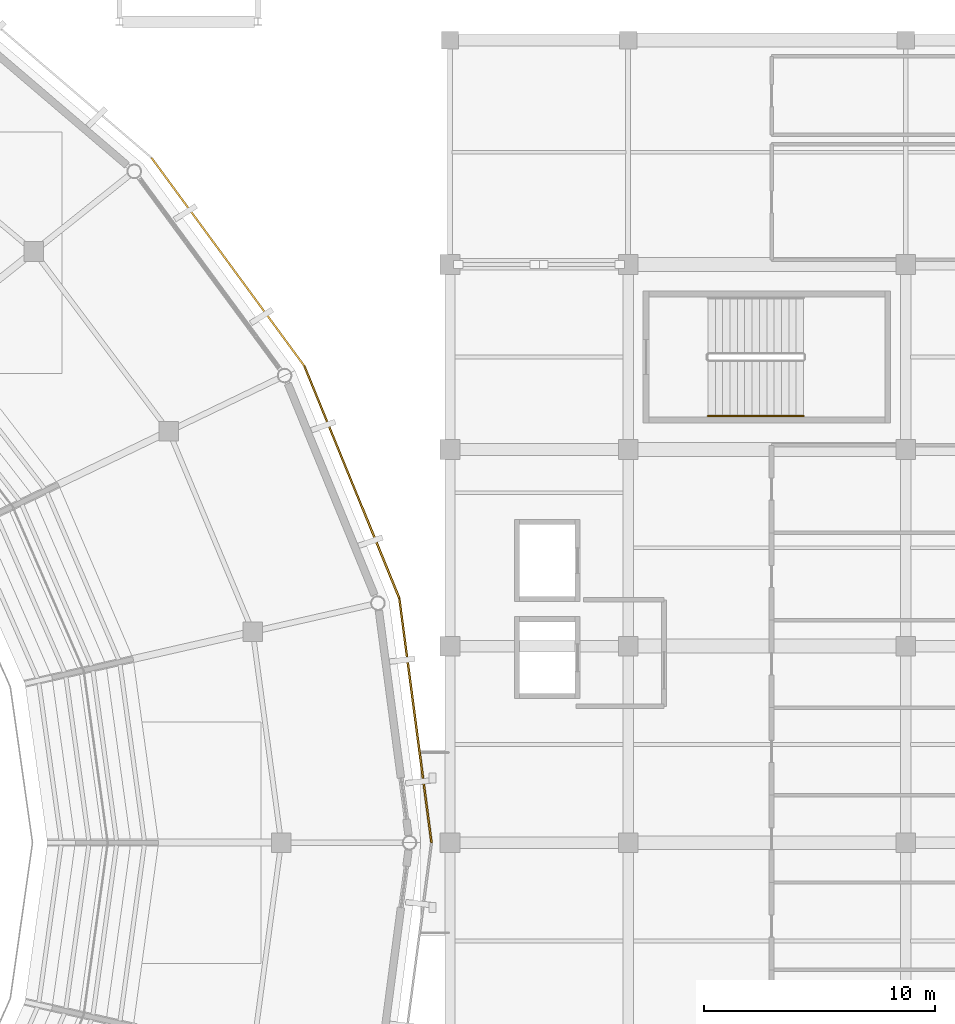
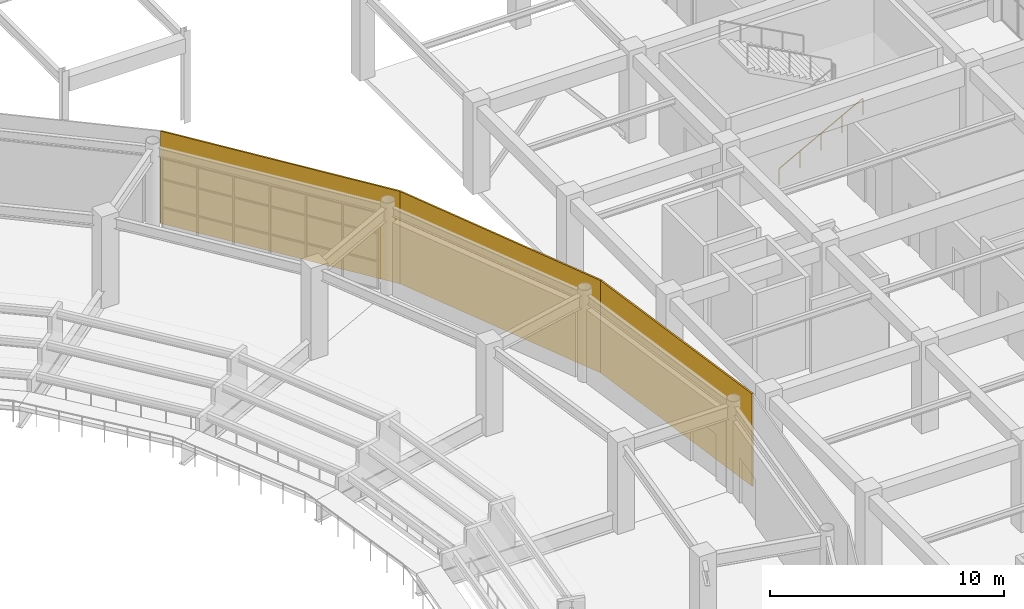
# One storey, part 120 of 122: 3 coverings, 1 railing.
"""IFC4 building model written with IfcOpenShell, lengths in metres."""

from ifc_helpers import new_model, si_unit, direction, frame, frame_2d, origin, origin_2d, place, context, subcontext, project, spatial, rectangle, circle, extrude, material, layer, layer_set, type_object, element, save


model = new_model("IFC4")

# Units and contexts
model_context = context("Model", 3, precision=1e-05, world=origin(), true_north=direction((0.0, 1.0)))
body_context = subcontext(model_context, "Body", "Model", "MODEL_VIEW")
ifc_project = project(units=[si_unit("LENGTHUNIT", "METRE"), si_unit("AREAUNIT", "SQUARE_METRE"), si_unit("VOLUMEUNIT", "CUBIC_METRE"), si_unit("PLANEANGLEUNIT", "RADIAN"), si_unit("MASSUNIT", "GRAM", prefix="KILO")], contexts=[model_context])

# Site, building, storey
site_placement = place(None, origin())
site = spatial("IfcSite", under=ifc_project, at=site_placement, CompositionType="ELEMENT")
building_placement = place(site_placement, origin())
building = spatial("IfcBuilding", under=site, at=building_placement, Name="Cuetzalor Civic Arena", CompositionType="ELEMENT")
storey_placement = place(building_placement, frame((0.0, 0.0, 16.199951171875)))
storey = spatial("IfcBuildingStorey", under=building, at=storey_placement, Name="L03", CompositionType="ELEMENT", Elevation=16.199951171875)

# Railing
ifc_material_1 = material(Name="Galvanised steel S355", Category="steel")
railing_type = type_object("IfcRailingType", Name="StairPitchHandrail_900", PredefinedType="HANDRAIL", material=ifc_material_1)
railing_placement = place(storey_placement, frame((67.449951171875, 18.449951171875, 0.17138671875)))
element("IfcRailing", 1, at=railing_placement, inside=storey, type_object=railing_type, Name="L03 ST-22 stair handrail 1", PredefinedType="HANDRAIL", context=body_context, shape_type="SweptSolid", body=[
    extrude(circle(Radius=0.02392578125, at=origin_2d()), frame((0.0, 0.0, 0.8759765625), z_axis=(0.880227283719, 0.0, 0.474552345897), x_axis=(0.0, 1.0, 0.0)), (0.0, 0.0, 1.0), 4.696533203125),
    extrude(circle(Radius=0.02099609375, at=origin_2d()), origin(), (0.0, 0.0, 1.0), 0.851806640625),
    extrude(circle(Radius=0.02099609375, at=origin_2d()), frame((1.033447265625, 0.0, 0.55712890625)), (0.0, 0.0, 1.0), 0.851806640625),
    extrude(circle(Radius=0.02099609375, at=origin_2d()), frame((2.06689453125, 0.0, 1.1142578125)), (0.0, 0.0, 1.0), 0.851806640625),
    extrude(circle(Radius=0.02099609375, at=origin_2d()), frame((3.1005859375, 0.0, 1.671630859375)), (0.0, 0.0, 1.0), 0.851806640625),
    extrude(circle(Radius=0.02099609375, at=origin_2d()), frame((4.134033203125, 0.0, 2.228759765625)), (0.0, 0.0, 1.0), 0.851806640625),
])

# Coverings
ifc_material_2 = material(Name="Terracotta-red perforated anodised aluminium panel", Category="masonry")
ifc_layer = layer(ifc_material_2, 0.080078125)
ifc_layer_set = layer_set([ifc_layer], Name="Terracotta-red perforated anodised aluminium panel")
covering_type = type_object("IfcCoveringType", Name="TerracottaPerforatedScreenPanel", PredefinedType="CLADDING", material=ifc_layer_set)
covering_1_placement = place(storey_placement, frame((54.1083984375, 10.569580078125, -0.139892578125), z_axis=(0.0, 0.0, 1.0), x_axis=(0.130534485624, -0.991443769491, 0.0)))
element("IfcCovering", 2, at=covering_1_placement, inside=storey, type_object=covering_type, Name="Terracotta Perforated Drum Screen L03-S01", PredefinedType="CLADDING", context=body_context, shape_type="SweptSolid", body=[
    extrude(rectangle(XDim=10.660888671875, YDim=0.080078125, at=frame_2d((5.33056640625, 0.0))), origin(), (0.0, 0.0, 1.0), 4.81982421875),
])
covering_2_placement = place(storey_placement, frame((50.00390625, 20.609619140625, -0.139892578125), z_axis=(0.0, 0.0, 1.0), x_axis=(0.378411973316, -0.925637282336, 0.0)))
element("IfcCovering", 3, at=covering_2_placement, inside=storey, type_object=covering_type, Name="Terracotta Perforated Drum Screen L03-S02", PredefinedType="CLADDING", context=body_context, shape_type="SweptSolid", body=[
    extrude(rectangle(XDim=10.8466796875, YDim=0.080078125, at=frame_2d((5.42333984375, 0.0))), origin(), (0.0, 0.0, 1.0), 4.81982421875),
])
covering_3_placement = place(storey_placement, frame((43.3916015625, 29.61572265625, -0.139892578125), z_axis=(0.0, 0.0, 1.0), x_axis=(0.591819224601, -0.806070719846, 0.0)))
element("IfcCovering", 4, at=covering_3_placement, inside=storey, type_object=covering_type, Name="Terracotta Perforated Drum Screen L03-S03", PredefinedType="CLADDING", context=body_context, shape_type="SweptSolid", body=[
    extrude(rectangle(XDim=11.1728515625, YDim=0.080078125, at=frame_2d((5.58642578125, 0.0))), origin(), (0.0, 0.0, 1.0), 4.81982421875),
])

save(model, "model.ifc")
